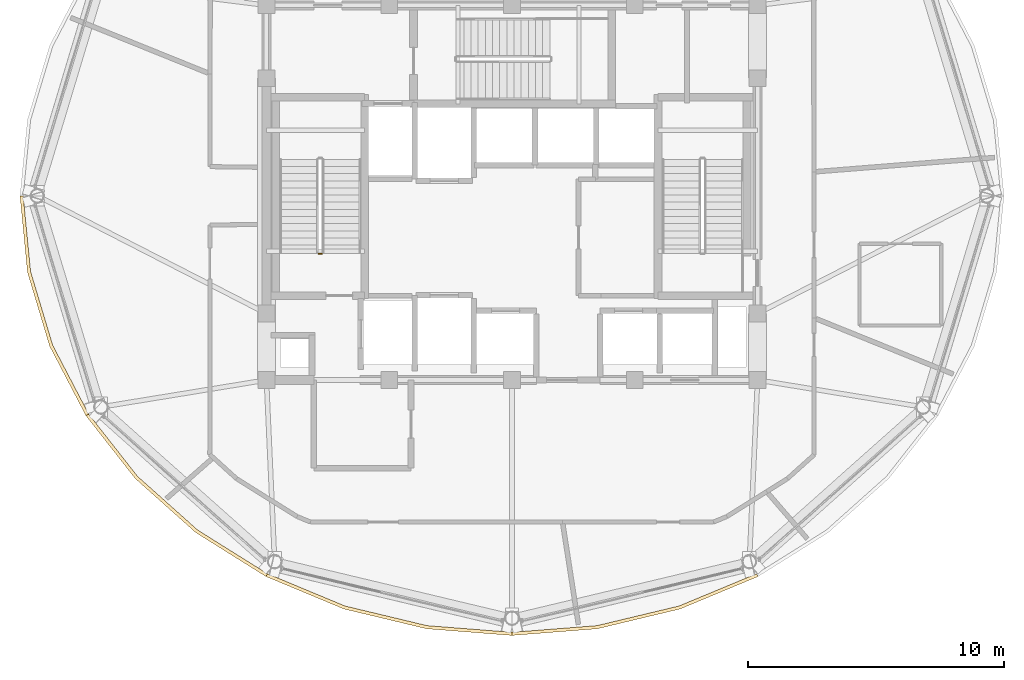
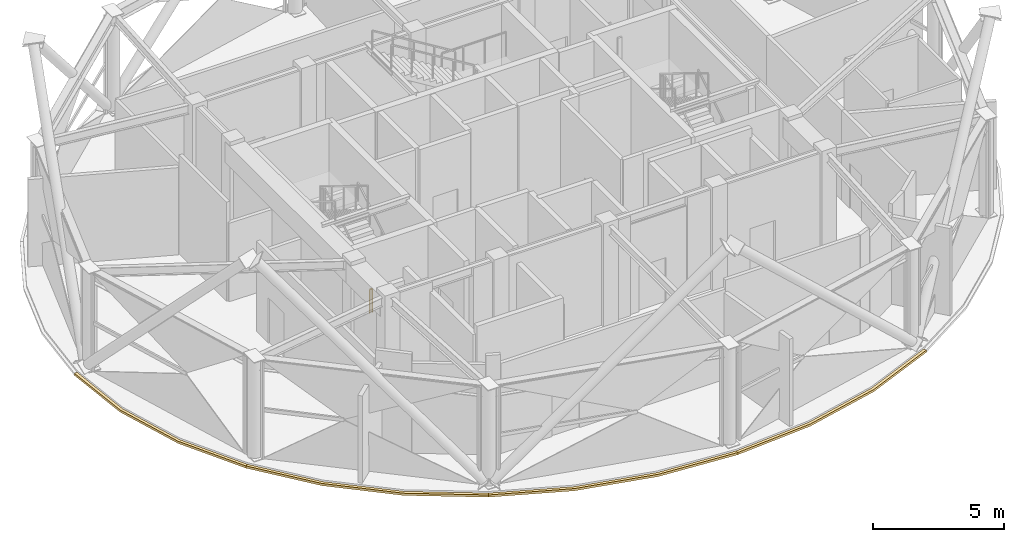
# One storey, part 24 of 27: 4 coverings, 1 railing.
"""IFC4 building model written with IfcOpenShell, lengths in metres."""

from ifc_helpers import new_model, si_unit, direction, frame, origin, origin_2d, place, context, subcontext, project, spatial, polyline, rectangle, outline, extrude, material, layer, layer_set, type_object, element, save


model = new_model("IFC4")

# Units and contexts
model_context = context("Model", 3, precision=1e-05, world=origin(), true_north=direction((0.0, 1.0)))
body_context = subcontext(model_context, "Body", "Model", "MODEL_VIEW")
ifc_project = project(units=[si_unit("LENGTHUNIT", "METRE"), si_unit("AREAUNIT", "SQUARE_METRE"), si_unit("VOLUMEUNIT", "CUBIC_METRE"), si_unit("PLANEANGLEUNIT", "RADIAN"), si_unit("MASSUNIT", "GRAM", prefix="KILO")], contexts=[model_context])

# Site, building, storey
site_placement = place(None, origin())
site = spatial("IfcSite", under=ifc_project, at=site_placement, CompositionType="ELEMENT")
building_placement = place(site_placement, origin())
building = spatial("IfcBuilding", under=site, at=building_placement, Name="Vantalir Tower", CompositionType="ELEMENT")
storey_placement = place(building_placement, frame((0.0, 0.0, 290.10009765625)))
storey = spatial("IfcBuildingStorey", under=building, at=storey_placement, Name="L73", CompositionType="ELEMENT", Elevation=290.10009765625)

# Coverings
ifc_material_1 = material(Name="Anodised champagne aluminium sill fascia", Category="aluminium")
ifc_layer = layer(ifc_material_1, 0.125)
ifc_layer_set = layer_set([ifc_layer], Name="Anodised champagne aluminium sill fascia")
covering_type = type_object("IfcCoveringType", Name="COV-SLAB-FASCIA-125", PredefinedType="CLADDING", material=ifc_layer_set)
covering_1_placement = place(storey_placement, frame((0.0, 0.0, -0.18017578125)))
element("IfcCovering", 1, at=covering_1_placement, inside=storey, type_object=covering_type, Name="L73 Perimeter Slab-Edge Sill Fascia 07", PredefinedType="CLADDING", context=body_context, shape_type="SweptSolid", body=[
    extrude(outline(polyline([(12.264892578125, 25.0), (12.556884765625, 22.01611328125), (13.425048828125, 19.1220703125), (14.842041015625, 16.406005859375), (14.949951171875, 16.468994140625), (13.5419921875, 19.1640625), (12.679931640625, 22.037109375), (12.389892578125, 25.0), (12.264892578125, 25.0)])), origin(), (0.0, 0.0, 1.0), 0.10498046875),
])
covering_2_placement = place(storey_placement, frame((0.0, 0.0, -0.18017578125)))
element("IfcCovering", 2, at=covering_2_placement, inside=storey, type_object=covering_type, Name="L73 Perimeter Slab-Edge Sill Fascia 08", PredefinedType="CLADDING", context=body_context, shape_type="SweptSolid", body=[
    extrude(outline(polyline([(14.842041015625, 16.406005859375), (16.764892578125, 13.951904296875), (19.135986328125, 11.833984375), (21.882080078125, 10.115966796875), (21.945068359375, 10.22412109375), (19.216064453125, 11.929931640625), (16.861083984375, 14.032958984375), (14.949951171875, 16.468994140625), (14.842041015625, 16.406005859375)])), origin(), (0.0, 0.0, 1.0), 0.10498046875),
])
covering_3_placement = place(storey_placement, frame((0.0, 0.0, -0.18017578125)))
element("IfcCovering", 3, at=covering_3_placement, inside=storey, type_object=covering_type, Name="L73 Perimeter Slab-Edge Sill Fascia 09", PredefinedType="CLADDING", context=body_context, shape_type="SweptSolid", body=[
    extrude(outline(polyline([(21.882080078125, 10.115966796875), (24.9208984375, 8.85009765625), (28.159912109375, 8.073974609375), (31.5, 7.81298828125), (31.5, 7.93798828125), (28.181884765625, 8.197021484375), (24.964111328125, 8.967041015625), (21.945068359375, 10.22412109375), (21.882080078125, 10.115966796875)])), origin(), (0.0, 0.0, 1.0), 0.10498046875),
])
covering_4_placement = place(storey_placement, frame((0.0, 0.0, -0.18017578125)))
element("IfcCovering", 4, at=covering_4_placement, inside=storey, type_object=covering_type, Name="L73 Perimeter Slab-Edge Sill Fascia 10", PredefinedType="CLADDING", context=body_context, shape_type="SweptSolid", body=[
    extrude(outline(polyline([(31.5, 7.81298828125), (34.840087890625, 8.073974609375), (38.0791015625, 8.85009765625), (41.117919921875, 10.115966796875), (41.054931640625, 10.22412109375), (38.035888671875, 8.967041015625), (34.818115234375, 8.197021484375), (31.5, 7.93798828125), (31.5, 7.81298828125)])), origin(), (0.0, 0.0, 1.0), 0.10498046875),
])

# Railing
ifc_material_2 = material(Name="Anodised aluminium and stainless steel guard", Category="steel")
railing_type = type_object("IfcRailingType", Name="RAL-GUARD-1120", PredefinedType="GUARDRAIL", material=ifc_material_2)
railing_placement = place(storey_placement, frame((24.06005859375, 22.739990234375, 0.0)))
element("IfcRailing", 5, at=railing_placement, inside=storey, type_object=railing_type, Name="L73 ST1 stair guard 4", PredefinedType="GUARDRAIL", context=body_context, shape_type="SweptSolid", body=[
    extrude(rectangle(XDim=0.048095703125, YDim=0.048095703125, at=origin_2d()), frame((0.0, 0.0, 1.09619140625), z_axis=(-1.0, 0.0, 0.0), x_axis=(0.0, -1.0, 0.0)), (0.0, 0.0, 1.0), 0.1201171875),
    extrude(rectangle(XDim=0.0419921875, YDim=0.0419921875, at=origin_2d()), origin(), (0.0, 0.0, 1.0), 1.072021484375),
    extrude(rectangle(XDim=0.0419921875, YDim=0.0419921875, at=origin_2d()), frame((-0.1201171875, 0.0, 0.0)), (0.0, 0.0, 1.0), 1.072021484375),
])

save(model, "model.ifc")
